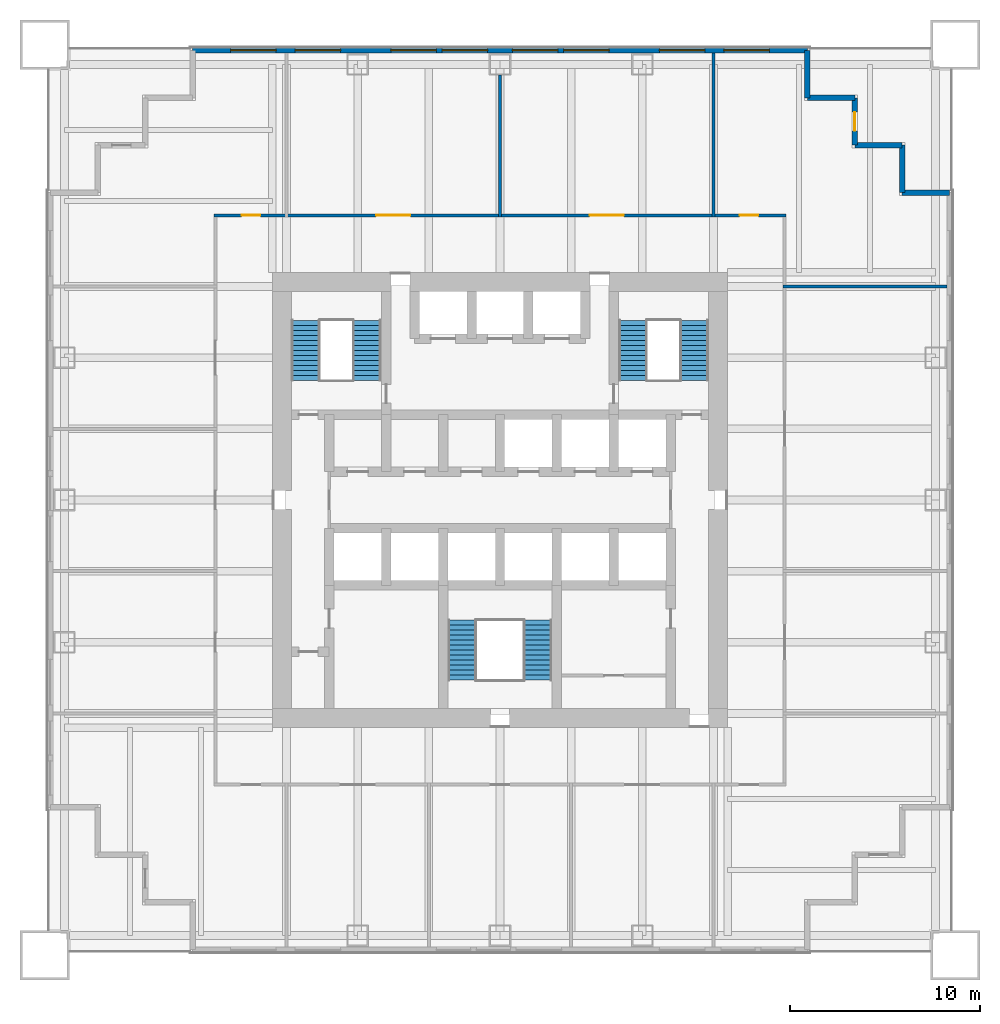
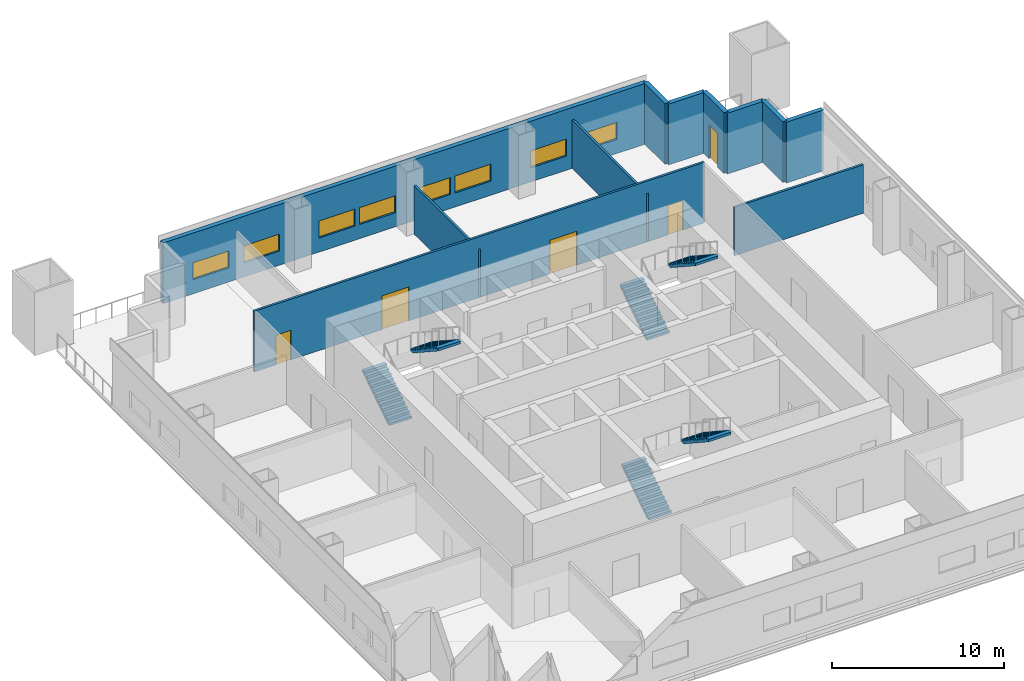
# One storey, part 5 of 7: 11 walls, 8 windows, 6 stair flights, 5 doors, 13 openings, 3 elements without a shape of their own.
"""IFC4 building model written with IfcOpenShell, lengths in metres."""

from ifc_helpers import new_model, si_unit, direction, frame, frame_2d, origin, place, context, subcontext, project, spatial, polyline, rectangle, outline, extrude, material, layer, layer_set, type_object, element, fill, aggregate, save


model = new_model("IFC4")

# Units and contexts
model_context = context("Model", 3, precision=1e-05, world=origin(), true_north=direction((0.0, 1.0)))
body_context = subcontext(model_context, "Body", "Model", "MODEL_VIEW")
ifc_project = project(units=[si_unit("LENGTHUNIT", "METRE"), si_unit("AREAUNIT", "SQUARE_METRE"), si_unit("VOLUMEUNIT", "CUBIC_METRE"), si_unit("PLANEANGLEUNIT", "RADIAN"), si_unit("MASSUNIT", "GRAM", prefix="KILO")], contexts=[model_context])

# Site, building, storey
site_placement = place(None, origin())
site = spatial("IfcSite", under=ifc_project, at=site_placement, CompositionType="ELEMENT")
building_placement = place(site_placement, origin())
building = spatial("IfcBuilding", under=site, at=building_placement, Name="Tarangal Relay Tower", CompositionType="ELEMENT")
storey_placement = place(building_placement, frame((0.0, 0.0, 158.39990234375)))
storey = spatial("IfcBuildingStorey", under=building, at=storey_placement, Name="L32", CompositionType="ELEMENT", Elevation=158.39990234375)

# Wall, openings, windows
ifc_material_1 = material(Name="Insulated precast concrete fc' 40 MPa", Category="concrete")
ifc_layer_1 = layer(ifc_material_1, 0.300048828125)
ifc_layer_set_1 = layer_set([ifc_layer_1], Name="Insulated precast concrete fc' 40 MPa")
wall_type_1 = type_object("IfcWallType", Name="Facade wall precast 300", PredefinedType="SOLIDWALL", material=ifc_layer_set_1)
wall_1_placement = place(storey_placement, frame((-16.199951171875, 23.699951171875, 0.0), z_axis=(0.0, 0.0, 1.0), x_axis=(1.0, 0.0, 0.0)))
wall_1 = element("IfcWall", 1, at=wall_1_placement, inside=storey, type_object=wall_type_1, Name="Facade wall N facade L32", PredefinedType="SOLIDWALL", context=body_context, shape_type="SweptSolid", body=[
    extrude(rectangle(XDim=32.39990234375, YDim=0.300048828125, at=frame_2d((16.199951171875, 0.0))), origin(), (0.0, 0.0, 1.0), 4.300048828125),
])
opening_1_placement = place(wall_1_placement, frame((2.0, 0.0, 1.0)))
opening_1 = element("IfcOpeningElement", 2, at=opening_1_placement, cuts=wall_1, Name="Opening WN1", PredefinedType="OPENING", context=body_context, shape_type="SweptSolid", body=[
    extrude(rectangle(XDim=2.39990234375, YDim=1.199951171875, at=frame_2d((1.199951171875, 0.60009765625))), frame((0.0, 0.159912109375, 0.0), z_axis=(0.0, -1.0, 0.0), x_axis=(1.0, 0.0, 0.0)), (0.0, 0.0, 1.0), 0.320068359375),
])
opening_2_placement = place(wall_1_placement, frame((5.39990234375, 0.0, 1.0)))
opening_2 = element("IfcOpeningElement", 3, at=opening_2_placement, cuts=wall_1, Name="Opening WN1", PredefinedType="OPENING", context=body_context, shape_type="SweptSolid", body=[
    extrude(rectangle(XDim=2.39990234375, YDim=1.199951171875, at=frame_2d((1.199951171875, 0.60009765625))), frame((0.0, 0.159912109375, 0.0), z_axis=(0.0, -1.0, 0.0), x_axis=(1.0, 0.0, 0.0)), (0.0, 0.0, 1.0), 0.320068359375),
])
opening_3_placement = place(wall_1_placement, frame((10.449951171875, 0.0, 1.0)))
opening_3 = element("IfcOpeningElement", 4, at=opening_3_placement, cuts=wall_1, Name="Opening WN1", PredefinedType="OPENING", context=body_context, shape_type="SweptSolid", body=[
    extrude(rectangle(XDim=2.39990234375, YDim=1.199951171875, at=frame_2d((1.199951171875, 0.60009765625))), frame((0.0, 0.159912109375, 0.0), z_axis=(0.0, -1.0, 0.0), x_axis=(1.0, 0.0, 0.0)), (0.0, 0.0, 1.0), 0.320068359375),
])
opening_4_placement = place(wall_1_placement, frame((13.14990234375, 0.0, 1.0)))
opening_4 = element("IfcOpeningElement", 5, at=opening_4_placement, cuts=wall_1, Name="Opening WN1", PredefinedType="OPENING", context=body_context, shape_type="SweptSolid", body=[
    extrude(rectangle(XDim=2.39990234375, YDim=1.199951171875, at=frame_2d((1.199951171875, 0.60009765625))), frame((0.0, 0.159912109375, 0.0), z_axis=(0.0, -1.0, 0.0), x_axis=(1.0, 0.0, 0.0)), (0.0, 0.0, 1.0), 0.320068359375),
])
opening_5_placement = place(wall_1_placement, frame((16.85009765625, 0.0, 1.0)))
opening_5 = element("IfcOpeningElement", 6, at=opening_5_placement, cuts=wall_1, Name="Opening WN1", PredefinedType="OPENING", context=body_context, shape_type="SweptSolid", body=[
    extrude(rectangle(XDim=2.39990234375, YDim=1.199951171875, at=frame_2d((1.199951171875, 0.60009765625))), frame((0.0, 0.159912109375, 0.0), z_axis=(0.0, -1.0, 0.0), x_axis=(1.0, 0.0, 0.0)), (0.0, 0.0, 1.0), 0.320068359375),
])
opening_6_placement = place(wall_1_placement, frame((19.550048828125, 0.0, 1.0)))
opening_6 = element("IfcOpeningElement", 7, at=opening_6_placement, cuts=wall_1, Name="Opening WN1", PredefinedType="OPENING", context=body_context, shape_type="SweptSolid", body=[
    extrude(rectangle(XDim=2.39990234375, YDim=1.199951171875, at=frame_2d((1.199951171875, 0.60009765625))), frame((0.0, 0.159912109375, 0.0), z_axis=(0.0, -1.0, 0.0), x_axis=(1.0, 0.0, 0.0)), (0.0, 0.0, 1.0), 0.320068359375),
])
opening_7_placement = place(wall_1_placement, frame((24.60009765625, 0.0, 1.0)))
opening_7 = element("IfcOpeningElement", 8, at=opening_7_placement, cuts=wall_1, Name="Opening WN1", PredefinedType="OPENING", context=body_context, shape_type="SweptSolid", body=[
    extrude(rectangle(XDim=2.39990234375, YDim=1.199951171875, at=frame_2d((1.199951171875, 0.60009765625))), frame((0.0, 0.159912109375, 0.0), z_axis=(0.0, -1.0, 0.0), x_axis=(1.0, 0.0, 0.0)), (0.0, 0.0, 1.0), 0.320068359375),
])
opening_8_placement = place(wall_1_placement, frame((28.0, 0.0, 1.0)))
opening_8 = element("IfcOpeningElement", 9, at=opening_8_placement, cuts=wall_1, Name="Opening WN1", PredefinedType="OPENING", context=body_context, shape_type="SweptSolid", body=[
    extrude(rectangle(XDim=2.39990234375, YDim=1.199951171875, at=frame_2d((1.199951171875, 0.60009765625))), frame((0.0, 0.159912109375, 0.0), z_axis=(0.0, -1.0, 0.0), x_axis=(1.0, 0.0, 0.0)), (0.0, 0.0, 1.0), 0.320068359375),
])
ifc_material_2 = material(Name="Dark tinted double glazing in black aluminium frame", Category="aluminium")
window_type = type_object("IfcWindowType", Name="Ribbon window 2400 x 1200", PartitioningType="SINGLE_PANEL", PredefinedType="WINDOW", material=ifc_material_2)
window_1_placement = place(opening_1_placement, origin())
window_1 = element("IfcWindow", 10, at=window_1_placement, inside=storey, type_object=window_type, Name="Ribbon window WN1 N facade L32", OverallHeight=1.199951171875, OverallWidth=2.39990234375, PartitioningType="SINGLE_PANEL", PredefinedType="WINDOW", context=body_context, shape_type="SweptSolid", body=[
    extrude(rectangle(XDim=2.39990234375, YDim=1.199951171875, at=frame_2d((1.199951171875, 0.60009765625))), frame((0.0, 0.030029296875, 0.0), z_axis=(0.0, -1.0, 0.0), x_axis=(1.0, 0.0, 0.0)), (0.0, 0.0, 1.0), 0.06005859375),
])
fill(opening_1, window_1)
window_2_placement = place(opening_2_placement, origin())
window_2 = element("IfcWindow", 11, at=window_2_placement, inside=storey, type_object=window_type, Name="Ribbon window WN1 N facade L32", OverallHeight=1.199951171875, OverallWidth=2.39990234375, PartitioningType="SINGLE_PANEL", PredefinedType="WINDOW", context=body_context, shape_type="SweptSolid", body=[
    extrude(rectangle(XDim=2.39990234375, YDim=1.199951171875, at=frame_2d((1.199951171875, 0.60009765625))), frame((0.0, 0.030029296875, 0.0), z_axis=(0.0, -1.0, 0.0), x_axis=(1.0, 0.0, 0.0)), (0.0, 0.0, 1.0), 0.06005859375),
])
fill(opening_2, window_2)
window_3_placement = place(opening_3_placement, origin())
window_3 = element("IfcWindow", 12, at=window_3_placement, inside=storey, type_object=window_type, Name="Ribbon window WN1 N facade L32", OverallHeight=1.199951171875, OverallWidth=2.39990234375, PartitioningType="SINGLE_PANEL", PredefinedType="WINDOW", context=body_context, shape_type="SweptSolid", body=[
    extrude(rectangle(XDim=2.39990234375, YDim=1.199951171875, at=frame_2d((1.199951171875, 0.60009765625))), frame((0.0, 0.030029296875, 0.0), z_axis=(0.0, -1.0, 0.0), x_axis=(1.0, 0.0, 0.0)), (0.0, 0.0, 1.0), 0.06005859375),
])
fill(opening_3, window_3)
window_4_placement = place(opening_4_placement, origin())
window_4 = element("IfcWindow", 13, at=window_4_placement, inside=storey, type_object=window_type, Name="Ribbon window WN1 N facade L32", OverallHeight=1.199951171875, OverallWidth=2.39990234375, PartitioningType="SINGLE_PANEL", PredefinedType="WINDOW", context=body_context, shape_type="SweptSolid", body=[
    extrude(rectangle(XDim=2.39990234375, YDim=1.199951171875, at=frame_2d((1.199951171875, 0.60009765625))), frame((0.0, 0.030029296875, 0.0), z_axis=(0.0, -1.0, 0.0), x_axis=(1.0, 0.0, 0.0)), (0.0, 0.0, 1.0), 0.06005859375),
])
fill(opening_4, window_4)
window_5_placement = place(opening_5_placement, origin())
window_5 = element("IfcWindow", 14, at=window_5_placement, inside=storey, type_object=window_type, Name="Ribbon window WN1 N facade L32", OverallHeight=1.199951171875, OverallWidth=2.39990234375, PartitioningType="SINGLE_PANEL", PredefinedType="WINDOW", context=body_context, shape_type="SweptSolid", body=[
    extrude(rectangle(XDim=2.39990234375, YDim=1.199951171875, at=frame_2d((1.199951171875, 0.60009765625))), frame((0.0, 0.030029296875, 0.0), z_axis=(0.0, -1.0, 0.0), x_axis=(1.0, 0.0, 0.0)), (0.0, 0.0, 1.0), 0.06005859375),
])
fill(opening_5, window_5)
window_6_placement = place(opening_6_placement, origin())
window_6 = element("IfcWindow", 15, at=window_6_placement, inside=storey, type_object=window_type, Name="Ribbon window WN1 N facade L32", OverallHeight=1.199951171875, OverallWidth=2.39990234375, PartitioningType="SINGLE_PANEL", PredefinedType="WINDOW", context=body_context, shape_type="SweptSolid", body=[
    extrude(rectangle(XDim=2.39990234375, YDim=1.199951171875, at=frame_2d((1.199951171875, 0.60009765625))), frame((0.0, 0.030029296875, 0.0), z_axis=(0.0, -1.0, 0.0), x_axis=(1.0, 0.0, 0.0)), (0.0, 0.0, 1.0), 0.06005859375),
])
fill(opening_6, window_6)
window_7_placement = place(opening_7_placement, origin())
window_7 = element("IfcWindow", 16, at=window_7_placement, inside=storey, type_object=window_type, Name="Ribbon window WN1 N facade L32", OverallHeight=1.199951171875, OverallWidth=2.39990234375, PartitioningType="SINGLE_PANEL", PredefinedType="WINDOW", context=body_context, shape_type="SweptSolid", body=[
    extrude(rectangle(XDim=2.39990234375, YDim=1.199951171875, at=frame_2d((1.199951171875, 0.60009765625))), frame((0.0, 0.030029296875, 0.0), z_axis=(0.0, -1.0, 0.0), x_axis=(1.0, 0.0, 0.0)), (0.0, 0.0, 1.0), 0.06005859375),
])
fill(opening_7, window_7)
window_8_placement = place(opening_8_placement, origin())
window_8 = element("IfcWindow", 17, at=window_8_placement, inside=storey, type_object=window_type, Name="Ribbon window WN1 N facade L32", OverallHeight=1.199951171875, OverallWidth=2.39990234375, PartitioningType="SINGLE_PANEL", PredefinedType="WINDOW", context=body_context, shape_type="SweptSolid", body=[
    extrude(rectangle(XDim=2.39990234375, YDim=1.199951171875, at=frame_2d((1.199951171875, 0.60009765625))), frame((0.0, 0.030029296875, 0.0), z_axis=(0.0, -1.0, 0.0), x_axis=(1.0, 0.0, 0.0)), (0.0, 0.0, 1.0), 0.06005859375),
])
fill(opening_8, window_8)

# Walls
for number, where, z_axis, x_axis, name in (
    (18, (16.199951171875, 23.699951171875, 0.0), (0.0, 0.0, 1.0), (0.0, -1.0, 0.0), "Facade wall N facade L32"),
    (19, (16.199951171875, 21.199951171875, 0.0), (0.0, 0.0, 1.0), (1.0, 0.0, 0.0), "Facade wall N facade L32"),
):
    element("IfcWall", number, at=place(storey_placement, frame(where, z_axis=z_axis, x_axis=x_axis)), inside=storey, type_object=wall_type_1, Name=name, PredefinedType="SOLIDWALL", context=body_context, shape_type="SweptSolid", body=[
        extrude(rectangle(XDim=2.5, YDim=0.300048828125, at=frame_2d((1.25, 0.0))), origin(), (0.0, 0.0, 1.0), 4.300048828125),
    ])

# Wall, opening, door
wall_2_placement = place(storey_placement, frame((18.699951171875, 21.199951171875, 0.0), z_axis=(0.0, 0.0, 1.0), x_axis=(0.0, -1.0, 0.0)))
wall_2 = element("IfcWall", 20, at=wall_2_placement, inside=storey, type_object=wall_type_1, Name="Facade wall N facade L32", PredefinedType="SOLIDWALL", context=body_context, shape_type="SweptSolid", body=[
    extrude(rectangle(XDim=2.5, YDim=0.300048828125, at=frame_2d((1.25, 0.0))), origin(), (0.0, 0.0, 1.0), 4.300048828125),
])
opening_9_placement = place(wall_2_placement, frame((0.75, 0.0, 0.0)))
opening_9 = element("IfcOpeningElement", 21, at=opening_9_placement, cuts=wall_2, Name="Opening TD1", PredefinedType="OPENING", context=body_context, shape_type="SweptSolid", body=[
    extrude(rectangle(XDim=1.0, YDim=2.39990234375, at=frame_2d((0.5, 1.199951171875))), frame((0.0, 0.159912109375, 0.0), z_axis=(0.0, -1.0, 0.0), x_axis=(1.0, 0.0, 0.0)), (0.0, 0.0, 1.0), 0.320068359375),
])
ifc_material_3 = material(Name="Aluminium glazed door", Category="aluminium")
door_type_1 = type_object("IfcDoorType", Name="Terrace door 1000 x 2400", OperationType="SINGLE_SWING_RIGHT", PredefinedType="DOOR", material=ifc_material_3)
door_1_placement = place(opening_9_placement, origin())
door_1 = element("IfcDoor", 22, at=door_1_placement, inside=storey, type_object=door_type_1, Name="Terrace door TD1 NE L32", OperationType="SINGLE_SWING_RIGHT", OverallHeight=2.39990234375, OverallWidth=1.0, PredefinedType="DOOR", context=body_context, shape_type="SweptSolid", body=[
    extrude(rectangle(XDim=1.0, YDim=2.39990234375, at=frame_2d((0.5, 1.199951171875))), frame((0.0, 0.02490234375, 0.0), z_axis=(0.0, -1.0, 0.0), x_axis=(1.0, 0.0, 0.0)), (0.0, 0.0, 1.0), 0.050048828125),
])
fill(opening_9, door_1)

# Walls
for number, where, z_axis, x_axis, name in (
    (23, (18.699951171875, 18.699951171875, 0.0), (0.0, 0.0, 1.0), (1.0, 0.0, 0.0), "Facade wall N facade L32"),
    (24, (21.199951171875, 18.699951171875, 0.0), (0.0, 0.0, 1.0), (0.0, -1.0, 0.0), "Facade wall N facade L32"),
    (25, (21.199951171875, 16.199951171875, 0.0), (0.0, 0.0, 1.0), (1.0, 0.0, 0.0), "Facade wall N facade L32"),
):
    element("IfcWall", number, at=place(storey_placement, frame(where, z_axis=z_axis, x_axis=x_axis)), inside=storey, type_object=wall_type_1, Name=name, PredefinedType="SOLIDWALL", context=body_context, shape_type="SweptSolid", body=[
        extrude(rectangle(XDim=2.5, YDim=0.300048828125, at=frame_2d((1.25, 0.0))), origin(), (0.0, 0.0, 1.0), 4.300048828125),
    ])
ifc_material_4 = material(Name="Gypsum board on steel studs", Category="steel")
ifc_layer_2 = layer(ifc_material_4, 0.14990234375)
ifc_layer_set_2 = layer_set([ifc_layer_2], Name="Partition 150")
wall_type_2 = type_object("IfcWallType", Name="Partition 150", PredefinedType="PARTITIONING", material=ifc_layer_set_2)
wall_3_placement = place(storey_placement, frame((14.925048828125, 11.25, 0.0), z_axis=(0.0, 0.0, 1.0), x_axis=(1.0, 0.0, 0.0)))
element("IfcWall", 26, at=wall_3_placement, inside=storey, type_object=wall_type_2, Name="Partition PT1 L32", PredefinedType="PARTITIONING", context=body_context, shape_type="SweptSolid", body=[
    extrude(rectangle(XDim=8.625, YDim=0.14990234375, at=frame_2d((4.3125, 0.0))), origin(), (0.0, 0.0, 1.0), 3.431396484375),
])

# Wall, openings, doors
wall_4_placement = place(storey_placement, frame((-15.074951171875, 15.0, 0.0), z_axis=(0.0, 0.0, 1.0), x_axis=(1.0, 0.0, 0.0)))
wall_4 = element("IfcWall", 27, at=wall_4_placement, inside=storey, type_object=wall_type_2, Name="Partition PT1 L32", PredefinedType="PARTITIONING", context=body_context, shape_type="SweptSolid", body=[
    extrude(rectangle(XDim=30.14990234375, YDim=0.14990234375, at=frame_2d((15.074951171875, 0.0))), origin(), (0.0, 0.0, 1.0), 4.300048828125),
])
opening_10_placement = place(wall_4_placement, frame((8.550048828125, 0.0, 0.0)))
opening_10 = element("IfcOpeningElement", 28, at=opening_10_placement, cuts=wall_4, Name="Opening DD1", PredefinedType="OPENING", context=body_context, shape_type="SweptSolid", body=[
    extrude(rectangle(XDim=1.800048828125, YDim=2.39990234375, at=frame_2d((0.89990234375, 1.199951171875))), frame((0.0, 0.0849609375, 0.0), z_axis=(0.0, -1.0, 0.0), x_axis=(1.0, 0.0, 0.0)), (0.0, 0.0, 1.0), 0.169921875),
])
opening_11_placement = place(wall_4_placement, frame((19.800048828125, 0.0, 0.0)))
opening_11 = element("IfcOpeningElement", 29, at=opening_11_placement, cuts=wall_4, Name="Opening DD1", PredefinedType="OPENING", context=body_context, shape_type="SweptSolid", body=[
    extrude(rectangle(XDim=1.800048828125, YDim=2.39990234375, at=frame_2d((0.89990234375, 1.199951171875))), frame((0.0, 0.0849609375, 0.0), z_axis=(0.0, -1.0, 0.0), x_axis=(1.0, 0.0, 0.0)), (0.0, 0.0, 1.0), 0.169921875),
])
opening_12_placement = place(wall_4_placement, frame((27.699951171875, 0.0, 0.0)))
opening_12 = element("IfcOpeningElement", 30, at=opening_12_placement, cuts=wall_4, Name="Opening D2", PredefinedType="OPENING", context=body_context, shape_type="SweptSolid", body=[
    extrude(rectangle(XDim=1.0, YDim=2.10009765625, at=frame_2d((0.5, 1.050048828125))), frame((0.0, 0.0849609375, 0.0), z_axis=(0.0, -1.0, 0.0), x_axis=(1.0, 0.0, 0.0)), (0.0, 0.0, 1.0), 0.169921875),
])
opening_13_placement = place(wall_4_placement, frame((1.449951171875, 0.0, 0.0)))
opening_13 = element("IfcOpeningElement", 31, at=opening_13_placement, cuts=wall_4, Name="Opening D2", PredefinedType="OPENING", context=body_context, shape_type="SweptSolid", body=[
    extrude(rectangle(XDim=1.0, YDim=2.10009765625, at=frame_2d((0.5, 1.050048828125))), frame((0.0, 0.0849609375, 0.0), z_axis=(0.0, -1.0, 0.0), x_axis=(1.0, 0.0, 0.0)), (0.0, 0.0, 1.0), 0.169921875),
])
ifc_material_5 = material(Name="Hardwood door", Category="wood")
door_type_2 = type_object("IfcDoorType", Name="Door 1000 x 2100", OperationType="SINGLE_SWING_LEFT", PredefinedType="DOOR", material=ifc_material_5)
door_2_placement = place(opening_12_placement, origin())
door_2 = element("IfcDoor", 32, at=door_2_placement, inside=storey, type_object=door_type_2, Name="Door D2 to radio test lab L32-12", OperationType="SINGLE_SWING_LEFT", OverallHeight=2.10009765625, OverallWidth=1.0, PredefinedType="DOOR", context=body_context, shape_type="SweptSolid", body=[
    extrude(rectangle(XDim=1.0, YDim=2.10009765625, at=frame_2d((0.5, 1.050048828125))), frame((0.0, 0.02490234375, 0.0), z_axis=(0.0, -1.0, 0.0), x_axis=(1.0, 0.0, 0.0)), (0.0, 0.0, 1.0), 0.050048828125),
])
fill(opening_12, door_2)
door_3_placement = place(opening_13_placement, origin())
door_3 = element("IfcDoor", 33, at=door_3_placement, inside=storey, type_object=door_type_2, Name="Door D2 to rack staging room L32-15", OperationType="SINGLE_SWING_LEFT", OverallHeight=2.10009765625, OverallWidth=1.0, PredefinedType="DOOR", context=body_context, shape_type="SweptSolid", body=[
    extrude(rectangle(XDim=1.0, YDim=2.10009765625, at=frame_2d((0.5, 1.050048828125))), frame((0.0, 0.02490234375, 0.0), z_axis=(0.0, -1.0, 0.0), x_axis=(1.0, 0.0, 0.0)), (0.0, 0.0, 1.0), 0.050048828125),
])
fill(opening_13, door_3)
ifc_material_6 = material(Name="Steel door with hardwood frame", Category="steel")
door_type_3 = type_object("IfcDoorType", Name="Equipment double door 1800 x 2400", OperationType="DOUBLE_DOOR_SINGLE_SWING", PredefinedType="DOOR", material=ifc_material_6)
door_4_placement = place(opening_10_placement, origin())
door_4 = element("IfcDoor", 34, at=door_4_placement, inside=storey, type_object=door_type_3, Name="Door DD1 to microwave and antenna room L32-02", OperationType="DOUBLE_DOOR_SINGLE_SWING", OverallHeight=2.39990234375, OverallWidth=1.800048828125, PredefinedType="DOOR", context=body_context, shape_type="SweptSolid", body=[
    extrude(rectangle(XDim=1.800048828125, YDim=2.39990234375, at=frame_2d((0.89990234375, 1.199951171875))), frame((0.0, 0.02490234375, 0.0), z_axis=(0.0, -1.0, 0.0), x_axis=(1.0, 0.0, 0.0)), (0.0, 0.0, 1.0), 0.050048828125),
])
fill(opening_10, door_4)
door_5_placement = place(opening_11_placement, origin())
door_5 = element("IfcDoor", 35, at=door_5_placement, inside=storey, type_object=door_type_3, Name="Door DD1 to telecom radio equipment room L32-03", OperationType="DOUBLE_DOOR_SINGLE_SWING", OverallHeight=2.39990234375, OverallWidth=1.800048828125, PredefinedType="DOOR", context=body_context, shape_type="SweptSolid", body=[
    extrude(rectangle(XDim=1.800048828125, YDim=2.39990234375, at=frame_2d((0.89990234375, 1.199951171875))), frame((0.0, 0.02490234375, 0.0), z_axis=(0.0, -1.0, 0.0), x_axis=(1.0, 0.0, 0.0)), (0.0, 0.0, 1.0), 0.050048828125),
])
fill(opening_11, door_5)

# Walls
wall_5_placement = place(storey_placement, frame((0.0, 14.925048828125, 0.0), z_axis=(0.0, 0.0, 1.0), x_axis=(0.0, 1.0, 0.0)))
element("IfcWall", 36, at=wall_5_placement, inside=storey, type_object=wall_type_2, Name="Partition PT1 L32", PredefinedType="PARTITIONING", context=body_context, shape_type="SweptSolid", body=[
    extrude(rectangle(XDim=7.46484375, YDim=0.14990234375, at=frame_2d((3.732421875, 0.0))), origin(), (0.0, 0.0, 1.0), 3.431396484375),
])
wall_6_placement = place(storey_placement, frame((11.25, 14.925048828125, 0.0), z_axis=(0.0, 0.0, 1.0), x_axis=(0.0, 1.0, 0.0)))
element("IfcWall", 37, at=wall_6_placement, inside=storey, type_object=wall_type_2, Name="Partition PT1 L32", PredefinedType="PARTITIONING", context=body_context, shape_type="SweptSolid", body=[
    extrude(rectangle(XDim=8.625, YDim=0.14990234375, at=frame_2d((4.3125, 0.0))), origin(), (0.0, 0.0, 1.0), 3.431396484375),
])

# Stair, stair flights
ifc_material_7 = material(Name="Steel ASTM A992 stair flight", Category="steel")
stair_type = type_object("IfcStairType", Name="Core stair 1500", PredefinedType="HALF_TURN_STAIR", material=ifc_material_7)
stair_1_placement = place(storey_placement, origin())
stair_1 = element("IfcStair", 38, at=stair_1_placement, inside=storey, type_object=stair_type, Name="Stair ST-A L32", PredefinedType="HALF_TURN_STAIR")
stair_flight_type = type_object("IfcStairFlightType", Name="Steel stair flight 1500, 13 risers 173 x 264", PredefinedType="STRAIGHT", material=ifc_material_7)
stair_flight_1_placement = place(storey_placement, frame((-10.25, 6.300048828125, 0.0), z_axis=(0.0, 0.0, 1.0), x_axis=(0.0, 1.0, 0.0)))
stair_flight_1 = element("IfcStairFlight", 39, at=stair_flight_1_placement, type_object=stair_flight_type, Name="ST-A flight 1", NumberOfRisers=13, NumberOfTreads=12, PredefinedType="STRAIGHT", RiserHeight=0.173076923, TreadLength=0.264, context=body_context, shape_type="SweptSolid", body=[
    extrude(outline(polyline([(0.0, 0.0), (0.0, 0.173095703125), (0.263916015625, 0.173095703125), (0.263916015625, 0.34619140625), (0.528076171875, 0.34619140625), (0.528076171875, 0.519287109375), (0.7919921875, 0.519287109375), (0.7919921875, 0.6923828125), (1.055908203125, 0.6923828125), (1.055908203125, 0.865478515625), (1.320068359375, 0.865478515625), (1.320068359375, 1.03857421875), (1.583984375, 1.03857421875), (1.583984375, 1.21142578125), (1.847900390625, 1.21142578125), (1.847900390625, 1.384521484375), (2.112060546875, 1.384521484375), (2.112060546875, 1.5576171875), (2.3759765625, 1.5576171875), (2.3759765625, 1.730712890625), (2.639892578125, 1.730712890625), (2.639892578125, 1.90380859375), (2.904052734375, 1.90380859375), (2.904052734375, 2.076904296875), (3.16796875, 2.076904296875), (3.16796875, 2.25), (3.16796875, 1.897705078125), (0.2734375, 0.0), (0.0, 0.0)])), frame((0.0, 0.75, 0.0), z_axis=(0.0, -1.0, 0.0), x_axis=(1.0, 0.0, 0.0)), (0.0, 0.0, 1.0), 1.5),
])
stair_flight_2_placement = place(storey_placement, frame((-7.0, 9.468017578125, 2.25), z_axis=(0.0, 0.0, 1.0), x_axis=(0.0, -1.0, 0.0)))
stair_flight_2 = element("IfcStairFlight", 40, at=stair_flight_2_placement, type_object=stair_flight_type, Name="ST-A flight 2", NumberOfRisers=13, NumberOfTreads=12, PredefinedType="STRAIGHT", RiserHeight=0.173076923, TreadLength=0.264, context=body_context, shape_type="SweptSolid", body=[
    extrude(outline(polyline([(0.0, 0.0), (0.0, 0.173095703125), (0.263916015625, 0.173095703125), (0.263916015625, 0.34619140625), (0.528076171875, 0.34619140625), (0.528076171875, 0.519287109375), (0.7919921875, 0.519287109375), (0.7919921875, 0.6923828125), (1.055908203125, 0.6923828125), (1.055908203125, 0.865478515625), (1.320068359375, 0.865478515625), (1.320068359375, 1.03857421875), (1.583984375, 1.03857421875), (1.583984375, 1.21142578125), (1.847900390625, 1.21142578125), (1.847900390625, 1.384521484375), (2.112060546875, 1.384521484375), (2.112060546875, 1.5576171875), (2.3759765625, 1.5576171875), (2.3759765625, 1.730712890625), (2.639892578125, 1.730712890625), (2.639892578125, 1.90380859375), (2.904052734375, 1.90380859375), (2.904052734375, 2.076904296875), (3.16796875, 2.076904296875), (3.16796875, 2.25), (3.16796875, 1.897705078125), (0.2734375, 0.0), (0.0, 0.0)])), frame((0.0, 0.75, 0.0), z_axis=(0.0, -1.0, 0.0), x_axis=(1.0, 0.0, 0.0)), (0.0, 0.0, 1.0), 1.5),
])
aggregate(stair_1, [stair_flight_1, stair_flight_2])

stair_2_placement = place(storey_placement, origin())
stair_2 = element("IfcStair", 41, at=stair_2_placement, inside=storey, type_object=stair_type, Name="Stair ST-B L32", PredefinedType="HALF_TURN_STAIR")
stair_flight_3_placement = place(storey_placement, frame((7.0, 6.300048828125, 0.0), z_axis=(0.0, 0.0, 1.0), x_axis=(0.0, 1.0, 0.0)))
stair_flight_3 = element("IfcStairFlight", 42, at=stair_flight_3_placement, type_object=stair_flight_type, Name="ST-B flight 1", NumberOfRisers=13, NumberOfTreads=12, PredefinedType="STRAIGHT", RiserHeight=0.173076923, TreadLength=0.264, context=body_context, shape_type="SweptSolid", body=[
    extrude(outline(polyline([(0.0, 0.0), (0.0, 0.173095703125), (0.263916015625, 0.173095703125), (0.263916015625, 0.34619140625), (0.528076171875, 0.34619140625), (0.528076171875, 0.519287109375), (0.7919921875, 0.519287109375), (0.7919921875, 0.6923828125), (1.055908203125, 0.6923828125), (1.055908203125, 0.865478515625), (1.320068359375, 0.865478515625), (1.320068359375, 1.03857421875), (1.583984375, 1.03857421875), (1.583984375, 1.21142578125), (1.847900390625, 1.21142578125), (1.847900390625, 1.384521484375), (2.112060546875, 1.384521484375), (2.112060546875, 1.5576171875), (2.3759765625, 1.5576171875), (2.3759765625, 1.730712890625), (2.639892578125, 1.730712890625), (2.639892578125, 1.90380859375), (2.904052734375, 1.90380859375), (2.904052734375, 2.076904296875), (3.16796875, 2.076904296875), (3.16796875, 2.25), (3.16796875, 1.897705078125), (0.2734375, 0.0), (0.0, 0.0)])), frame((0.0, 0.75, 0.0), z_axis=(0.0, -1.0, 0.0), x_axis=(1.0, 0.0, 0.0)), (0.0, 0.0, 1.0), 1.5),
])
stair_flight_4_placement = place(storey_placement, frame((10.25, 9.468017578125, 2.25), z_axis=(0.0, 0.0, 1.0), x_axis=(0.0, -1.0, 0.0)))
stair_flight_4 = element("IfcStairFlight", 43, at=stair_flight_4_placement, type_object=stair_flight_type, Name="ST-B flight 2", NumberOfRisers=13, NumberOfTreads=12, PredefinedType="STRAIGHT", RiserHeight=0.173076923, TreadLength=0.264, context=body_context, shape_type="SweptSolid", body=[
    extrude(outline(polyline([(0.0, 0.0), (0.0, 0.173095703125), (0.263916015625, 0.173095703125), (0.263916015625, 0.34619140625), (0.528076171875, 0.34619140625), (0.528076171875, 0.519287109375), (0.7919921875, 0.519287109375), (0.7919921875, 0.6923828125), (1.055908203125, 0.6923828125), (1.055908203125, 0.865478515625), (1.320068359375, 0.865478515625), (1.320068359375, 1.03857421875), (1.583984375, 1.03857421875), (1.583984375, 1.21142578125), (1.847900390625, 1.21142578125), (1.847900390625, 1.384521484375), (2.112060546875, 1.384521484375), (2.112060546875, 1.5576171875), (2.3759765625, 1.5576171875), (2.3759765625, 1.730712890625), (2.639892578125, 1.730712890625), (2.639892578125, 1.90380859375), (2.904052734375, 1.90380859375), (2.904052734375, 2.076904296875), (3.16796875, 2.076904296875), (3.16796875, 2.25), (3.16796875, 1.897705078125), (0.2734375, 0.0), (0.0, 0.0)])), frame((0.0, 0.75, 0.0), z_axis=(0.0, -1.0, 0.0), x_axis=(1.0, 0.0, 0.0)), (0.0, 0.0, 1.0), 1.5),
])
aggregate(stair_2, [stair_flight_3, stair_flight_4])

stair_3_placement = place(storey_placement, origin())
stair_3 = element("IfcStair", 44, at=stair_3_placement, inside=storey, type_object=stair_type, Name="Stair ST-C L32", PredefinedType="HALF_TURN_STAIR")
stair_flight_5_placement = place(storey_placement, frame((-2.0, -9.5, 0.0), z_axis=(0.0, 0.0, 1.0), x_axis=(0.0, 1.0, 0.0)))
stair_flight_5 = element("IfcStairFlight", 45, at=stair_flight_5_placement, type_object=stair_flight_type, Name="ST-C flight 1", NumberOfRisers=13, NumberOfTreads=12, PredefinedType="STRAIGHT", RiserHeight=0.173076923, TreadLength=0.264, context=body_context, shape_type="SweptSolid", body=[
    extrude(outline(polyline([(0.0, 0.0), (0.0, 0.173095703125), (0.263916015625, 0.173095703125), (0.263916015625, 0.34619140625), (0.528076171875, 0.34619140625), (0.528076171875, 0.519287109375), (0.7919921875, 0.519287109375), (0.7919921875, 0.6923828125), (1.055908203125, 0.6923828125), (1.055908203125, 0.865478515625), (1.320068359375, 0.865478515625), (1.320068359375, 1.03857421875), (1.583984375, 1.03857421875), (1.583984375, 1.21142578125), (1.847900390625, 1.21142578125), (1.847900390625, 1.384521484375), (2.112060546875, 1.384521484375), (2.112060546875, 1.5576171875), (2.3759765625, 1.5576171875), (2.3759765625, 1.730712890625), (2.639892578125, 1.730712890625), (2.639892578125, 1.90380859375), (2.904052734375, 1.90380859375), (2.904052734375, 2.076904296875), (3.16796875, 2.076904296875), (3.16796875, 2.25), (3.16796875, 1.897705078125), (0.2734375, 0.0), (0.0, 0.0)])), frame((0.0, 0.75, 0.0), z_axis=(0.0, -1.0, 0.0), x_axis=(1.0, 0.0, 0.0)), (0.0, 0.0, 1.0), 1.5),
])
stair_flight_6_placement = place(storey_placement, frame((2.0, -6.33203125, 2.25), z_axis=(0.0, 0.0, 1.0), x_axis=(0.0, -1.0, 0.0)))
stair_flight_6 = element("IfcStairFlight", 46, at=stair_flight_6_placement, type_object=stair_flight_type, Name="ST-C flight 2", NumberOfRisers=13, NumberOfTreads=12, PredefinedType="STRAIGHT", RiserHeight=0.173076923, TreadLength=0.264, context=body_context, shape_type="SweptSolid", body=[
    extrude(outline(polyline([(0.0, 0.0), (0.0, 0.173095703125), (0.263916015625, 0.173095703125), (0.263916015625, 0.34619140625), (0.528076171875, 0.34619140625), (0.528076171875, 0.519287109375), (0.7919921875, 0.519287109375), (0.7919921875, 0.6923828125), (1.055908203125, 0.6923828125), (1.055908203125, 0.865478515625), (1.320068359375, 0.865478515625), (1.320068359375, 1.03857421875), (1.583984375, 1.03857421875), (1.583984375, 1.21142578125), (1.847900390625, 1.21142578125), (1.847900390625, 1.384521484375), (2.112060546875, 1.384521484375), (2.112060546875, 1.5576171875), (2.3759765625, 1.5576171875), (2.3759765625, 1.730712890625), (2.639892578125, 1.730712890625), (2.639892578125, 1.90380859375), (2.904052734375, 1.90380859375), (2.904052734375, 2.076904296875), (3.16796875, 2.076904296875), (3.16796875, 2.25), (3.16796875, 1.897705078125), (0.2734375, 0.0), (0.0, 0.0)])), frame((0.0, 0.75, 0.0), z_axis=(0.0, -1.0, 0.0), x_axis=(1.0, 0.0, 0.0)), (0.0, 0.0, 1.0), 1.5),
])
aggregate(stair_3, [stair_flight_5, stair_flight_6])

save(model, "model.ifc")
